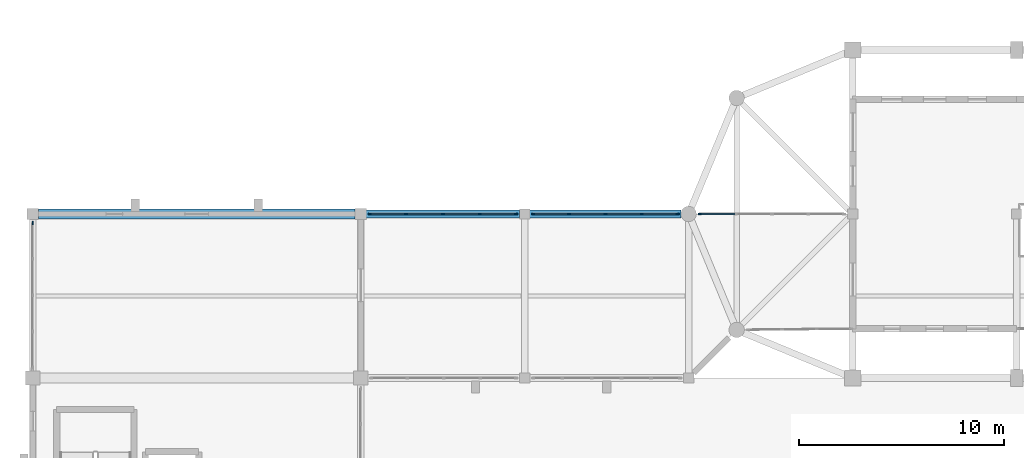
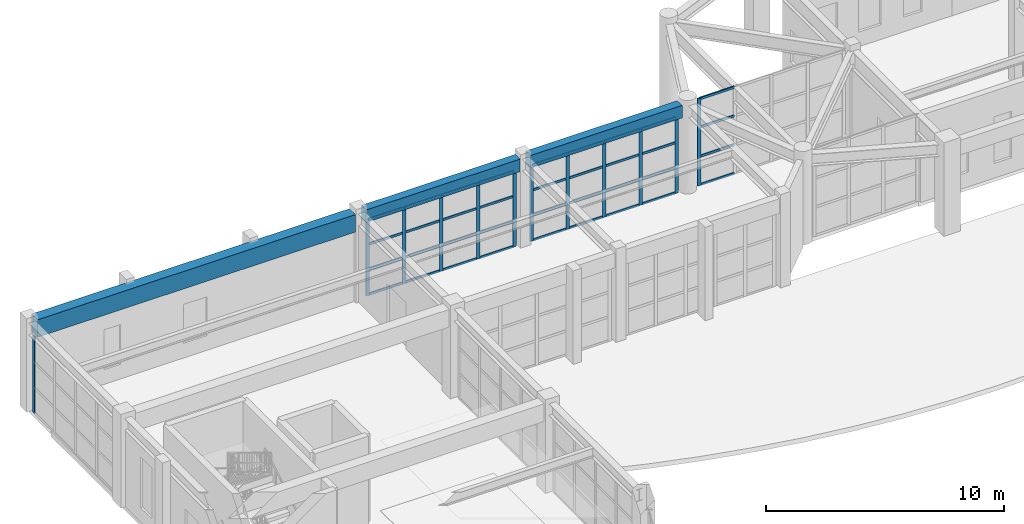
# One storey, part 16 of 59: 48 members, 3 beams, 4 elements without a shape of their own.
"""IFC4 building model written with IfcOpenShell, lengths in metres."""

from ifc_helpers import new_model, si_unit, direction, frame, origin, origin_2d, place, context, subcontext, project, spatial, rectangle, extrude, material, material_profile, profile_set, type_object, element, aggregate, save


model = new_model("IFC4")

# Units and contexts
model_context = context("Model", 3, precision=1e-05, world=origin(), true_north=direction((0.0, 1.0)))
body_context = subcontext(model_context, "Body", "Model", "MODEL_VIEW")
ifc_project = project(units=[si_unit("LENGTHUNIT", "METRE"), si_unit("AREAUNIT", "SQUARE_METRE"), si_unit("VOLUMEUNIT", "CUBIC_METRE"), si_unit("PLANEANGLEUNIT", "RADIAN"), si_unit("MASSUNIT", "GRAM", prefix="KILO")], contexts=[model_context])

# Site, building, storey
site_placement = place(None, origin())
site = spatial("IfcSite", under=ifc_project, at=site_placement, CompositionType="ELEMENT")
building_placement = place(site_placement, origin())
building = spatial("IfcBuilding", under=site, at=building_placement, Name="Serraluz Foothill Cableway Terminal", CompositionType="ELEMENT")
storey_placement = place(building_placement, frame((0.0, 0.0, 4.800048828125)))
storey = spatial("IfcBuildingStorey", under=building, at=storey_placement, Name="L01", CompositionType="ELEMENT", Elevation=4.800048828125)

# Beams
ifc_material_1 = material(Name="Concrete C28/35 (f'c 28 MPa)", Category="concrete")
ifc_material_profile_1 = material_profile(ifc_material_1, rectangle(XDim=0.39990234375, YDim=0.64990234375, at=origin_2d()), Name="RC 400x650")
ifc_profile_set_1 = profile_set([ifc_material_profile_1], Name="Concrete C28/35 (f'c 28 MPa)")
beam_type_1 = type_object("IfcBeamType", Name="TYP-BM-RC400X650", PredefinedType="BEAM", material=ifc_profile_set_1)
beam_1_placement = place(storey_placement, frame((16.27099609375, 64.0, 4.224853515625), z_axis=(1.0, 0.0, 0.0), x_axis=(0.0, 1.0, 0.0)))
element("IfcBeam", 1, at=beam_1_placement, inside=storey, type_object=beam_type_1, Name="Primary Girder BM-X-L01-0217", PredefinedType="BEAM", context=body_context, shape_type="SweptSolid", body=[
    extrude(rectangle(XDim=0.39990234375, YDim=0.64990234375, at=origin_2d()), origin(), (0.0, 0.0, 1.0), 7.48291015625),
])
beam_2_placement = place(storey_placement, frame((24.24609375, 64.0, 4.224853515625), z_axis=(1.0, 0.0, 0.0), x_axis=(0.0, 1.0, 0.0)))
element("IfcBeam", 2, at=beam_2_placement, inside=storey, type_object=beam_type_1, Name="Primary Girder BM-X-L01-0218", PredefinedType="BEAM", context=body_context, shape_type="SweptSolid", body=[
    extrude(rectangle(XDim=0.39990234375, YDim=0.64990234375, at=origin_2d()), origin(), (0.0, 0.0, 1.0), 7.3828125),
])
ifc_material_2 = material(Name="Concrete C35/45 (f'c 35 MPa)", Category="concrete")
ifc_material_profile_2 = material_profile(ifc_material_2, rectangle(XDim=0.5, YDim=0.89990234375, at=origin_2d()), Name="RC 500x900")
ifc_profile_set_2 = profile_set([ifc_material_profile_2], Name="Concrete C35/45 (f'c 35 MPa)")
beam_type_2 = type_object("IfcBeamType", Name="TYP-BM-RC500X900", PredefinedType="BEAM", material=ifc_profile_set_2)
beam_3_placement = place(storey_placement, frame((0.27099609375, 64.0, 4.08984375), z_axis=(1.0, 0.0, 0.0), x_axis=(0.0, 1.0, 0.0)))
element("IfcBeam", 3, at=beam_3_placement, inside=storey, type_object=beam_type_2, Name="Primary Girder BM-X-L01-0216", PredefinedType="BEAM", context=body_context, shape_type="SweptSolid", body=[
    extrude(rectangle(XDim=0.5, YDim=0.89990234375, at=origin_2d()), origin(), (0.0, 0.0, 1.0), 15.4580078125),
])

# Curtain wall, member
ifc_material_3 = material(Name="Architectural bronze alloy C28000", Category="aluminium")
curtain_wall_type_1 = type_object("IfcCurtainWallType", Name="TYP-CW-540X420", PredefinedType="NOTDEFINED", material=ifc_material_3)
curtain_wall_1_placement = place(storey_placement, origin())
curtain_wall_1 = element("IfcCurtainWall", 4, at=curtain_wall_1_placement, inside=storey, type_object=curtain_wall_type_1, Name="Ribbed Glazed Curtain Wall CW-V5W-L01-56", PredefinedType="NOTDEFINED")
ifc_material_profile_3 = material_profile(ifc_material_3, rectangle(XDim=0.06005859375, YDim=0.159912109375, at=origin_2d()), Name="ALU MULLION 60x160")
ifc_profile_set_3 = profile_set([ifc_material_profile_3], Name="Architectural bronze alloy C28000")
member_type_1 = type_object("IfcMemberType", Name="TYP-CW-MUL-60X160", PredefinedType="MULLION", material=ifc_profile_set_3)
member_1_placement = place(storey_placement, frame((0.0, 63.554931640625, 0.0), z_axis=(0.0, 0.0, 1.0), x_axis=(-1.0, 0.0, 0.0)))
member_1 = element("IfcMember", 5, at=member_1_placement, type_object=member_type_1, Name="CW-10 mullion 5", PredefinedType="MULLION", context=body_context, shape_type="SweptSolid", body=[
    extrude(rectangle(XDim=0.06005859375, YDim=0.159912109375, at=origin_2d()), origin(), (0.0, 0.0, 1.0), 3.924072265625),
])
aggregate(curtain_wall_1, [member_1])

# Curtain wall, members
curtain_wall_type_2 = type_object("IfcCurtainWallType", Name="TYP-CW-710X420", PredefinedType="NOTDEFINED", material=ifc_material_3)
curtain_wall_2_placement = place(storey_placement, origin())
curtain_wall_2 = element("IfcCurtainWall", 6, at=curtain_wall_2_placement, inside=storey, type_object=curtain_wall_type_2, Name="Ribbed Glazed Curtain Wall CW-WLN-L01-16", PredefinedType="NOTDEFINED")
member_2_placement = place(storey_placement, frame((16.445068359375, 64.0, 0.0), z_axis=(0.0, 0.0, 1.0), x_axis=(0.0, 1.0, 0.0)))
member_2 = element("IfcMember", 7, at=member_2_placement, type_object=member_type_1, Name="CW-01 mullion 1", PredefinedType="MULLION", context=body_context, shape_type="SweptSolid", body=[
    extrude(rectangle(XDim=0.06005859375, YDim=0.159912109375, at=origin_2d()), origin(), (0.0, 0.0, 1.0), 3.89990234375),
])
member_3_placement = place(storey_placement, frame((18.2138671875, 64.0, 0.0), z_axis=(0.0, 0.0, 1.0), x_axis=(0.0, 1.0, 0.0)))
member_3 = element("IfcMember", 8, at=member_3_placement, type_object=member_type_1, Name="CW-01 mullion 2", PredefinedType="MULLION", context=body_context, shape_type="SweptSolid", body=[
    extrude(rectangle(XDim=0.06005859375, YDim=0.159912109375, at=origin_2d()), origin(), (0.0, 0.0, 1.0), 3.89990234375),
])
member_4_placement = place(storey_placement, frame((20.012451171875, 64.0, 0.0), z_axis=(0.0, 0.0, 1.0), x_axis=(0.0, 1.0, 0.0)))
member_4 = element("IfcMember", 9, at=member_4_placement, type_object=member_type_1, Name="CW-01 mullion 3", PredefinedType="MULLION", context=body_context, shape_type="SweptSolid", body=[
    extrude(rectangle(XDim=0.06005859375, YDim=0.159912109375, at=origin_2d()), origin(), (0.0, 0.0, 1.0), 3.89990234375),
])
member_5_placement = place(storey_placement, frame((21.811279296875, 64.0, 0.0), z_axis=(0.0, 0.0, 1.0), x_axis=(0.0, 1.0, 0.0)))
member_5 = element("IfcMember", 10, at=member_5_placement, type_object=member_type_1, Name="CW-01 mullion 4", PredefinedType="MULLION", context=body_context, shape_type="SweptSolid", body=[
    extrude(rectangle(XDim=0.06005859375, YDim=0.159912109375, at=origin_2d()), origin(), (0.0, 0.0, 1.0), 3.89990234375),
])
member_6_placement = place(storey_placement, frame((23.580078125, 64.0, 0.0), z_axis=(0.0, 0.0, 1.0), x_axis=(0.0, 1.0, 0.0)))
member_6 = element("IfcMember", 11, at=member_6_placement, type_object=member_type_1, Name="CW-01 mullion 5", PredefinedType="MULLION", context=body_context, shape_type="SweptSolid", body=[
    extrude(rectangle(XDim=0.06005859375, YDim=0.159912109375, at=origin_2d()), origin(), (0.0, 0.0, 1.0), 3.89990234375),
])

curtain_wall_3_placement = place(storey_placement, origin())
curtain_wall_3 = element("IfcCurtainWall", 12, at=curtain_wall_3_placement, inside=storey, type_object=curtain_wall_type_2, Name="Ribbed Glazed Curtain Wall CW-WLN-L01-24", PredefinedType="NOTDEFINED")
member_7_placement = place(storey_placement, frame((24.419921875, 64.0, 0.0), z_axis=(0.0, 0.0, 1.0), x_axis=(0.0, 1.0, 0.0)))
member_7 = element("IfcMember", 13, at=member_7_placement, type_object=member_type_1, Name="CW-01 mullion 1", PredefinedType="MULLION", context=body_context, shape_type="SweptSolid", body=[
    extrude(rectangle(XDim=0.06005859375, YDim=0.159912109375, at=origin_2d()), origin(), (0.0, 0.0, 1.0), 3.89990234375),
])
member_8_placement = place(storey_placement, frame((26.163818359375, 64.0, 0.0), z_axis=(0.0, 0.0, 1.0), x_axis=(0.0, 1.0, 0.0)))
member_8 = element("IfcMember", 14, at=member_8_placement, type_object=member_type_1, Name="CW-01 mullion 2", PredefinedType="MULLION", context=body_context, shape_type="SweptSolid", body=[
    extrude(rectangle(XDim=0.06005859375, YDim=0.159912109375, at=origin_2d()), origin(), (0.0, 0.0, 1.0), 3.89990234375),
])
member_9_placement = place(storey_placement, frame((27.9375, 64.0, 0.0), z_axis=(0.0, 0.0, 1.0), x_axis=(0.0, 1.0, 0.0)))
member_9 = element("IfcMember", 15, at=member_9_placement, type_object=member_type_1, Name="CW-01 mullion 3", PredefinedType="MULLION", context=body_context, shape_type="SweptSolid", body=[
    extrude(rectangle(XDim=0.06005859375, YDim=0.159912109375, at=origin_2d()), origin(), (0.0, 0.0, 1.0), 3.89990234375),
])
member_10_placement = place(storey_placement, frame((29.711181640625, 64.0, 0.0), z_axis=(0.0, 0.0, 1.0), x_axis=(0.0, 1.0, 0.0)))
member_10 = element("IfcMember", 16, at=member_10_placement, type_object=member_type_1, Name="CW-01 mullion 4", PredefinedType="MULLION", context=body_context, shape_type="SweptSolid", body=[
    extrude(rectangle(XDim=0.06005859375, YDim=0.159912109375, at=origin_2d()), origin(), (0.0, 0.0, 1.0), 3.89990234375),
])
member_11_placement = place(storey_placement, frame((31.455078125, 64.0, 0.0), z_axis=(0.0, 0.0, 1.0), x_axis=(0.0, 1.0, 0.0)))
member_11 = element("IfcMember", 17, at=member_11_placement, type_object=member_type_1, Name="CW-01 mullion 5", PredefinedType="MULLION", context=body_context, shape_type="SweptSolid", body=[
    extrude(rectangle(XDim=0.06005859375, YDim=0.159912109375, at=origin_2d()), origin(), (0.0, 0.0, 1.0), 3.89990234375),
])

# Curtain wall, member
curtain_wall_4_placement = place(storey_placement, origin())
curtain_wall_4 = element("IfcCurtainWall", 18, at=curtain_wall_4_placement, inside=storey, type_object=curtain_wall_type_2, Name="Ribbed Glazed Curtain Wall CW-WLN-L01-32", PredefinedType="NOTDEFINED")
member_12_placement = place(storey_placement, frame((32.544921875, 64.0, 0.0), z_axis=(0.0, 0.0, 1.0), x_axis=(0.0, 1.0, 0.0)))
member_12 = element("IfcMember", 19, at=member_12_placement, type_object=member_type_1, Name="CW-01 mullion 1", PredefinedType="MULLION", context=body_context, shape_type="SweptSolid", body=[
    extrude(rectangle(XDim=0.06005859375, YDim=0.159912109375, at=origin_2d()), origin(), (0.0, 0.0, 1.0), 4.474853515625),
])

# Member
ifc_material_profile_4 = material_profile(ifc_material_3, rectangle(XDim=0.06005859375, YDim=0.1201171875, at=origin_2d()), Name="ALU TRANSOM 60x120")
ifc_profile_set_4 = profile_set([ifc_material_profile_4], Name="Architectural bronze alloy C28000")
member_type_2 = type_object("IfcMemberType", Name="TYP-CW-TRN-60X120", PredefinedType="USERDEFINED", material=ifc_profile_set_4)
member_13_placement = place(storey_placement, frame((16.47509765625, 64.0, 0.030029296875), z_axis=(1.0, 0.0, 0.0), x_axis=(0.0, 1.0, 0.0)))
member_13 = element("IfcMember", 20, at=member_13_placement, type_object=member_type_2, Name="CW-01 transom 1.1", ObjectType="TRANSOM", PredefinedType="USERDEFINED", context=body_context, shape_type="SweptSolid", body=[
    extrude(rectangle(XDim=0.06005859375, YDim=0.1201171875, at=origin_2d()), origin(), (0.0, 0.0, 1.0), 1.708740234375),
])

member_14_placement = place(storey_placement, frame((16.47509765625, 64.0, 1.300048828125), z_axis=(1.0, 0.0, 0.0), x_axis=(0.0, 1.0, 0.0)))
member_14 = element("IfcMember", 21, at=member_14_placement, type_object=member_type_2, Name="CW-01 transom 1.2", ObjectType="TRANSOM", PredefinedType="USERDEFINED", context=body_context, shape_type="SweptSolid", body=[
    extrude(rectangle(XDim=0.06005859375, YDim=0.1201171875, at=origin_2d()), origin(), (0.0, 0.0, 1.0), 1.708740234375),
])

member_15_placement = place(storey_placement, frame((16.47509765625, 64.0, 2.599853515625), z_axis=(1.0, 0.0, 0.0), x_axis=(0.0, 1.0, 0.0)))
member_15 = element("IfcMember", 22, at=member_15_placement, type_object=member_type_2, Name="CW-01 transom 1.3", ObjectType="TRANSOM", PredefinedType="USERDEFINED", context=body_context, shape_type="SweptSolid", body=[
    extrude(rectangle(XDim=0.06005859375, YDim=0.1201171875, at=origin_2d()), origin(), (0.0, 0.0, 1.0), 1.708740234375),
])

member_16_placement = place(storey_placement, frame((16.47509765625, 64.0, 3.869873046875), z_axis=(1.0, 0.0, 0.0), x_axis=(0.0, 1.0, 0.0)))
member_16 = element("IfcMember", 23, at=member_16_placement, type_object=member_type_2, Name="CW-01 transom 1.4", ObjectType="TRANSOM", PredefinedType="USERDEFINED", context=body_context, shape_type="SweptSolid", body=[
    extrude(rectangle(XDim=0.06005859375, YDim=0.1201171875, at=origin_2d()), origin(), (0.0, 0.0, 1.0), 1.708740234375),
])

member_17_placement = place(storey_placement, frame((18.24365234375, 64.0, 0.030029296875), z_axis=(1.0, 0.0, 0.0), x_axis=(0.0, 1.0, 0.0)))
member_17 = element("IfcMember", 24, at=member_17_placement, type_object=member_type_2, Name="CW-01 transom 2.1", ObjectType="TRANSOM", PredefinedType="USERDEFINED", context=body_context, shape_type="SweptSolid", body=[
    extrude(rectangle(XDim=0.06005859375, YDim=0.1201171875, at=origin_2d()), origin(), (0.0, 0.0, 1.0), 1.73876953125),
])

member_18_placement = place(storey_placement, frame((18.24365234375, 64.0, 1.300048828125), z_axis=(1.0, 0.0, 0.0), x_axis=(0.0, 1.0, 0.0)))
member_18 = element("IfcMember", 25, at=member_18_placement, type_object=member_type_2, Name="CW-01 transom 2.2", ObjectType="TRANSOM", PredefinedType="USERDEFINED", context=body_context, shape_type="SweptSolid", body=[
    extrude(rectangle(XDim=0.06005859375, YDim=0.1201171875, at=origin_2d()), origin(), (0.0, 0.0, 1.0), 1.73876953125),
])

member_19_placement = place(storey_placement, frame((18.24365234375, 64.0, 2.599853515625), z_axis=(1.0, 0.0, 0.0), x_axis=(0.0, 1.0, 0.0)))
member_19 = element("IfcMember", 26, at=member_19_placement, type_object=member_type_2, Name="CW-01 transom 2.3", ObjectType="TRANSOM", PredefinedType="USERDEFINED", context=body_context, shape_type="SweptSolid", body=[
    extrude(rectangle(XDim=0.06005859375, YDim=0.1201171875, at=origin_2d()), origin(), (0.0, 0.0, 1.0), 1.73876953125),
])

member_20_placement = place(storey_placement, frame((18.24365234375, 64.0, 3.869873046875), z_axis=(1.0, 0.0, 0.0), x_axis=(0.0, 1.0, 0.0)))
member_20 = element("IfcMember", 27, at=member_20_placement, type_object=member_type_2, Name="CW-01 transom 2.4", ObjectType="TRANSOM", PredefinedType="USERDEFINED", context=body_context, shape_type="SweptSolid", body=[
    extrude(rectangle(XDim=0.06005859375, YDim=0.1201171875, at=origin_2d()), origin(), (0.0, 0.0, 1.0), 1.73876953125),
])

member_21_placement = place(storey_placement, frame((20.04248046875, 64.0, 0.030029296875), z_axis=(1.0, 0.0, 0.0), x_axis=(0.0, 1.0, 0.0)))
member_21 = element("IfcMember", 28, at=member_21_placement, type_object=member_type_2, Name="CW-01 transom 3.1", ObjectType="TRANSOM", PredefinedType="USERDEFINED", context=body_context, shape_type="SweptSolid", body=[
    extrude(rectangle(XDim=0.06005859375, YDim=0.1201171875, at=origin_2d()), origin(), (0.0, 0.0, 1.0), 1.73876953125),
])

member_22_placement = place(storey_placement, frame((20.04248046875, 64.0, 1.300048828125), z_axis=(1.0, 0.0, 0.0), x_axis=(0.0, 1.0, 0.0)))
member_22 = element("IfcMember", 29, at=member_22_placement, type_object=member_type_2, Name="CW-01 transom 3.2", ObjectType="TRANSOM", PredefinedType="USERDEFINED", context=body_context, shape_type="SweptSolid", body=[
    extrude(rectangle(XDim=0.06005859375, YDim=0.1201171875, at=origin_2d()), origin(), (0.0, 0.0, 1.0), 1.73876953125),
])

member_23_placement = place(storey_placement, frame((20.04248046875, 64.0, 2.599853515625), z_axis=(1.0, 0.0, 0.0), x_axis=(0.0, 1.0, 0.0)))
member_23 = element("IfcMember", 30, at=member_23_placement, type_object=member_type_2, Name="CW-01 transom 3.3", ObjectType="TRANSOM", PredefinedType="USERDEFINED", context=body_context, shape_type="SweptSolid", body=[
    extrude(rectangle(XDim=0.06005859375, YDim=0.1201171875, at=origin_2d()), origin(), (0.0, 0.0, 1.0), 1.73876953125),
])

member_24_placement = place(storey_placement, frame((20.04248046875, 64.0, 3.869873046875), z_axis=(1.0, 0.0, 0.0), x_axis=(0.0, 1.0, 0.0)))
member_24 = element("IfcMember", 31, at=member_24_placement, type_object=member_type_2, Name="CW-01 transom 3.4", ObjectType="TRANSOM", PredefinedType="USERDEFINED", context=body_context, shape_type="SweptSolid", body=[
    extrude(rectangle(XDim=0.06005859375, YDim=0.1201171875, at=origin_2d()), origin(), (0.0, 0.0, 1.0), 1.73876953125),
])

member_25_placement = place(storey_placement, frame((21.84130859375, 64.0, 0.030029296875), z_axis=(1.0, 0.0, 0.0), x_axis=(0.0, 1.0, 0.0)))
member_25 = element("IfcMember", 32, at=member_25_placement, type_object=member_type_2, Name="CW-01 transom 4.1", ObjectType="TRANSOM", PredefinedType="USERDEFINED", context=body_context, shape_type="SweptSolid", body=[
    extrude(rectangle(XDim=0.06005859375, YDim=0.1201171875, at=origin_2d()), origin(), (0.0, 0.0, 1.0), 1.708740234375),
])

member_26_placement = place(storey_placement, frame((21.84130859375, 64.0, 1.300048828125), z_axis=(1.0, 0.0, 0.0), x_axis=(0.0, 1.0, 0.0)))
member_26 = element("IfcMember", 33, at=member_26_placement, type_object=member_type_2, Name="CW-01 transom 4.2", ObjectType="TRANSOM", PredefinedType="USERDEFINED", context=body_context, shape_type="SweptSolid", body=[
    extrude(rectangle(XDim=0.06005859375, YDim=0.1201171875, at=origin_2d()), origin(), (0.0, 0.0, 1.0), 1.708740234375),
])

member_27_placement = place(storey_placement, frame((21.84130859375, 64.0, 2.599853515625), z_axis=(1.0, 0.0, 0.0), x_axis=(0.0, 1.0, 0.0)))
member_27 = element("IfcMember", 34, at=member_27_placement, type_object=member_type_2, Name="CW-01 transom 4.3", ObjectType="TRANSOM", PredefinedType="USERDEFINED", context=body_context, shape_type="SweptSolid", body=[
    extrude(rectangle(XDim=0.06005859375, YDim=0.1201171875, at=origin_2d()), origin(), (0.0, 0.0, 1.0), 1.708740234375),
])

member_28_placement = place(storey_placement, frame((21.84130859375, 64.0, 3.869873046875), z_axis=(1.0, 0.0, 0.0), x_axis=(0.0, 1.0, 0.0)))
member_28 = element("IfcMember", 35, at=member_28_placement, type_object=member_type_2, Name="CW-01 transom 4.4", ObjectType="TRANSOM", PredefinedType="USERDEFINED", context=body_context, shape_type="SweptSolid", body=[
    extrude(rectangle(XDim=0.06005859375, YDim=0.1201171875, at=origin_2d()), origin(), (0.0, 0.0, 1.0), 1.708740234375),
])

aggregate(curtain_wall_2, [member_2, member_3, member_4, member_5, member_6, member_13, member_14, member_15, member_16, member_17, member_18, member_19, member_20, member_21, member_22, member_23, member_24, member_25, member_26, member_27, member_28])

member_29_placement = place(storey_placement, frame((24.449951171875, 64.0, 0.030029296875), z_axis=(1.0, 0.0, 0.0), x_axis=(0.0, 1.0, 0.0)))
member_29 = element("IfcMember", 36, at=member_29_placement, type_object=member_type_2, Name="CW-01 transom 1.1", ObjectType="TRANSOM", PredefinedType="USERDEFINED", context=body_context, shape_type="SweptSolid", body=[
    extrude(rectangle(XDim=0.06005859375, YDim=0.1201171875, at=origin_2d()), origin(), (0.0, 0.0, 1.0), 1.683837890625),
])

member_30_placement = place(storey_placement, frame((24.449951171875, 64.0, 1.300048828125), z_axis=(1.0, 0.0, 0.0), x_axis=(0.0, 1.0, 0.0)))
member_30 = element("IfcMember", 37, at=member_30_placement, type_object=member_type_2, Name="CW-01 transom 1.2", ObjectType="TRANSOM", PredefinedType="USERDEFINED", context=body_context, shape_type="SweptSolid", body=[
    extrude(rectangle(XDim=0.06005859375, YDim=0.1201171875, at=origin_2d()), origin(), (0.0, 0.0, 1.0), 1.683837890625),
])

member_31_placement = place(storey_placement, frame((24.449951171875, 64.0, 2.599853515625), z_axis=(1.0, 0.0, 0.0), x_axis=(0.0, 1.0, 0.0)))
member_31 = element("IfcMember", 38, at=member_31_placement, type_object=member_type_2, Name="CW-01 transom 1.3", ObjectType="TRANSOM", PredefinedType="USERDEFINED", context=body_context, shape_type="SweptSolid", body=[
    extrude(rectangle(XDim=0.06005859375, YDim=0.1201171875, at=origin_2d()), origin(), (0.0, 0.0, 1.0), 1.683837890625),
])

member_32_placement = place(storey_placement, frame((24.449951171875, 64.0, 3.869873046875), z_axis=(1.0, 0.0, 0.0), x_axis=(0.0, 1.0, 0.0)))
member_32 = element("IfcMember", 39, at=member_32_placement, type_object=member_type_2, Name="CW-01 transom 1.4", ObjectType="TRANSOM", PredefinedType="USERDEFINED", context=body_context, shape_type="SweptSolid", body=[
    extrude(rectangle(XDim=0.06005859375, YDim=0.1201171875, at=origin_2d()), origin(), (0.0, 0.0, 1.0), 1.683837890625),
])

member_33_placement = place(storey_placement, frame((26.19384765625, 64.0, 0.030029296875), z_axis=(1.0, 0.0, 0.0), x_axis=(0.0, 1.0, 0.0)))
member_33 = element("IfcMember", 40, at=member_33_placement, type_object=member_type_2, Name="CW-01 transom 2.1", ObjectType="TRANSOM", PredefinedType="USERDEFINED", context=body_context, shape_type="SweptSolid", body=[
    extrude(rectangle(XDim=0.06005859375, YDim=0.1201171875, at=origin_2d()), origin(), (0.0, 0.0, 1.0), 1.713623046875),
])

member_34_placement = place(storey_placement, frame((26.19384765625, 64.0, 1.300048828125), z_axis=(1.0, 0.0, 0.0), x_axis=(0.0, 1.0, 0.0)))
member_34 = element("IfcMember", 41, at=member_34_placement, type_object=member_type_2, Name="CW-01 transom 2.2", ObjectType="TRANSOM", PredefinedType="USERDEFINED", context=body_context, shape_type="SweptSolid", body=[
    extrude(rectangle(XDim=0.06005859375, YDim=0.1201171875, at=origin_2d()), origin(), (0.0, 0.0, 1.0), 1.713623046875),
])

member_35_placement = place(storey_placement, frame((26.19384765625, 64.0, 2.599853515625), z_axis=(1.0, 0.0, 0.0), x_axis=(0.0, 1.0, 0.0)))
member_35 = element("IfcMember", 42, at=member_35_placement, type_object=member_type_2, Name="CW-01 transom 2.3", ObjectType="TRANSOM", PredefinedType="USERDEFINED", context=body_context, shape_type="SweptSolid", body=[
    extrude(rectangle(XDim=0.06005859375, YDim=0.1201171875, at=origin_2d()), origin(), (0.0, 0.0, 1.0), 1.713623046875),
])

member_36_placement = place(storey_placement, frame((26.19384765625, 64.0, 3.869873046875), z_axis=(1.0, 0.0, 0.0), x_axis=(0.0, 1.0, 0.0)))
member_36 = element("IfcMember", 43, at=member_36_placement, type_object=member_type_2, Name="CW-01 transom 2.4", ObjectType="TRANSOM", PredefinedType="USERDEFINED", context=body_context, shape_type="SweptSolid", body=[
    extrude(rectangle(XDim=0.06005859375, YDim=0.1201171875, at=origin_2d()), origin(), (0.0, 0.0, 1.0), 1.713623046875),
])

member_37_placement = place(storey_placement, frame((27.967529296875, 64.0, 0.030029296875), z_axis=(1.0, 0.0, 0.0), x_axis=(0.0, 1.0, 0.0)))
member_37 = element("IfcMember", 44, at=member_37_placement, type_object=member_type_2, Name="CW-01 transom 3.1", ObjectType="TRANSOM", PredefinedType="USERDEFINED", context=body_context, shape_type="SweptSolid", body=[
    extrude(rectangle(XDim=0.06005859375, YDim=0.1201171875, at=origin_2d()), origin(), (0.0, 0.0, 1.0), 1.713623046875),
])

member_38_placement = place(storey_placement, frame((27.967529296875, 64.0, 1.300048828125), z_axis=(1.0, 0.0, 0.0), x_axis=(0.0, 1.0, 0.0)))
member_38 = element("IfcMember", 45, at=member_38_placement, type_object=member_type_2, Name="CW-01 transom 3.2", ObjectType="TRANSOM", PredefinedType="USERDEFINED", context=body_context, shape_type="SweptSolid", body=[
    extrude(rectangle(XDim=0.06005859375, YDim=0.1201171875, at=origin_2d()), origin(), (0.0, 0.0, 1.0), 1.713623046875),
])

member_39_placement = place(storey_placement, frame((27.967529296875, 64.0, 2.599853515625), z_axis=(1.0, 0.0, 0.0), x_axis=(0.0, 1.0, 0.0)))
member_39 = element("IfcMember", 46, at=member_39_placement, type_object=member_type_2, Name="CW-01 transom 3.3", ObjectType="TRANSOM", PredefinedType="USERDEFINED", context=body_context, shape_type="SweptSolid", body=[
    extrude(rectangle(XDim=0.06005859375, YDim=0.1201171875, at=origin_2d()), origin(), (0.0, 0.0, 1.0), 1.713623046875),
])

member_40_placement = place(storey_placement, frame((27.967529296875, 64.0, 3.869873046875), z_axis=(1.0, 0.0, 0.0), x_axis=(0.0, 1.0, 0.0)))
member_40 = element("IfcMember", 47, at=member_40_placement, type_object=member_type_2, Name="CW-01 transom 3.4", ObjectType="TRANSOM", PredefinedType="USERDEFINED", context=body_context, shape_type="SweptSolid", body=[
    extrude(rectangle(XDim=0.06005859375, YDim=0.1201171875, at=origin_2d()), origin(), (0.0, 0.0, 1.0), 1.713623046875),
])

member_41_placement = place(storey_placement, frame((29.7412109375, 64.0, 0.030029296875), z_axis=(1.0, 0.0, 0.0), x_axis=(0.0, 1.0, 0.0)))
member_41 = element("IfcMember", 48, at=member_41_placement, type_object=member_type_2, Name="CW-01 transom 4.1", ObjectType="TRANSOM", PredefinedType="USERDEFINED", context=body_context, shape_type="SweptSolid", body=[
    extrude(rectangle(XDim=0.06005859375, YDim=0.1201171875, at=origin_2d()), origin(), (0.0, 0.0, 1.0), 1.683837890625),
])

member_42_placement = place(storey_placement, frame((29.7412109375, 64.0, 1.300048828125), z_axis=(1.0, 0.0, 0.0), x_axis=(0.0, 1.0, 0.0)))
member_42 = element("IfcMember", 49, at=member_42_placement, type_object=member_type_2, Name="CW-01 transom 4.2", ObjectType="TRANSOM", PredefinedType="USERDEFINED", context=body_context, shape_type="SweptSolid", body=[
    extrude(rectangle(XDim=0.06005859375, YDim=0.1201171875, at=origin_2d()), origin(), (0.0, 0.0, 1.0), 1.683837890625),
])

member_43_placement = place(storey_placement, frame((29.7412109375, 64.0, 2.599853515625), z_axis=(1.0, 0.0, 0.0), x_axis=(0.0, 1.0, 0.0)))
member_43 = element("IfcMember", 50, at=member_43_placement, type_object=member_type_2, Name="CW-01 transom 4.3", ObjectType="TRANSOM", PredefinedType="USERDEFINED", context=body_context, shape_type="SweptSolid", body=[
    extrude(rectangle(XDim=0.06005859375, YDim=0.1201171875, at=origin_2d()), origin(), (0.0, 0.0, 1.0), 1.683837890625),
])

member_44_placement = place(storey_placement, frame((29.7412109375, 64.0, 3.869873046875), z_axis=(1.0, 0.0, 0.0), x_axis=(0.0, 1.0, 0.0)))
member_44 = element("IfcMember", 51, at=member_44_placement, type_object=member_type_2, Name="CW-01 transom 4.4", ObjectType="TRANSOM", PredefinedType="USERDEFINED", context=body_context, shape_type="SweptSolid", body=[
    extrude(rectangle(XDim=0.06005859375, YDim=0.1201171875, at=origin_2d()), origin(), (0.0, 0.0, 1.0), 1.683837890625),
])

aggregate(curtain_wall_3, [member_7, member_8, member_9, member_10, member_11, member_29, member_30, member_31, member_32, member_33, member_34, member_35, member_36, member_37, member_38, member_39, member_40, member_41, member_42, member_43, member_44])

member_45_placement = place(storey_placement, frame((32.574951171875, 64.0, 0.030029296875), z_axis=(1.0, 0.0, 0.0), x_axis=(0.0, 1.0, 0.0)))
member_45 = element("IfcMember", 52, at=member_45_placement, type_object=member_type_2, Name="CW-01 transom 1.1", ObjectType="TRANSOM", PredefinedType="USERDEFINED", context=body_context, shape_type="SweptSolid", body=[
    extrude(rectangle(XDim=0.06005859375, YDim=0.1201171875, at=origin_2d()), origin(), (0.0, 0.0, 1.0), 1.683837890625),
])

member_46_placement = place(storey_placement, frame((32.574951171875, 64.0, 1.49169921875), z_axis=(1.0, 0.0, 0.0), x_axis=(0.0, 1.0, 0.0)))
member_46 = element("IfcMember", 53, at=member_46_placement, type_object=member_type_2, Name="CW-01 transom 1.2", ObjectType="TRANSOM", PredefinedType="USERDEFINED", context=body_context, shape_type="SweptSolid", body=[
    extrude(rectangle(XDim=0.06005859375, YDim=0.1201171875, at=origin_2d()), origin(), (0.0, 0.0, 1.0), 1.683837890625),
])

member_47_placement = place(storey_placement, frame((32.574951171875, 64.0, 2.983154296875), z_axis=(1.0, 0.0, 0.0), x_axis=(0.0, 1.0, 0.0)))
member_47 = element("IfcMember", 54, at=member_47_placement, type_object=member_type_2, Name="CW-01 transom 1.3", ObjectType="TRANSOM", PredefinedType="USERDEFINED", context=body_context, shape_type="SweptSolid", body=[
    extrude(rectangle(XDim=0.06005859375, YDim=0.1201171875, at=origin_2d()), origin(), (0.0, 0.0, 1.0), 1.683837890625),
])

member_48_placement = place(storey_placement, frame((32.574951171875, 64.0, 4.445068359375), z_axis=(1.0, 0.0, 0.0), x_axis=(0.0, 1.0, 0.0)))
member_48 = element("IfcMember", 55, at=member_48_placement, type_object=member_type_2, Name="CW-01 transom 1.4", ObjectType="TRANSOM", PredefinedType="USERDEFINED", context=body_context, shape_type="SweptSolid", body=[
    extrude(rectangle(XDim=0.06005859375, YDim=0.1201171875, at=origin_2d()), origin(), (0.0, 0.0, 1.0), 1.683837890625),
])

aggregate(curtain_wall_4, [member_12, member_45, member_46, member_47, member_48])

save(model, "model.ifc")
